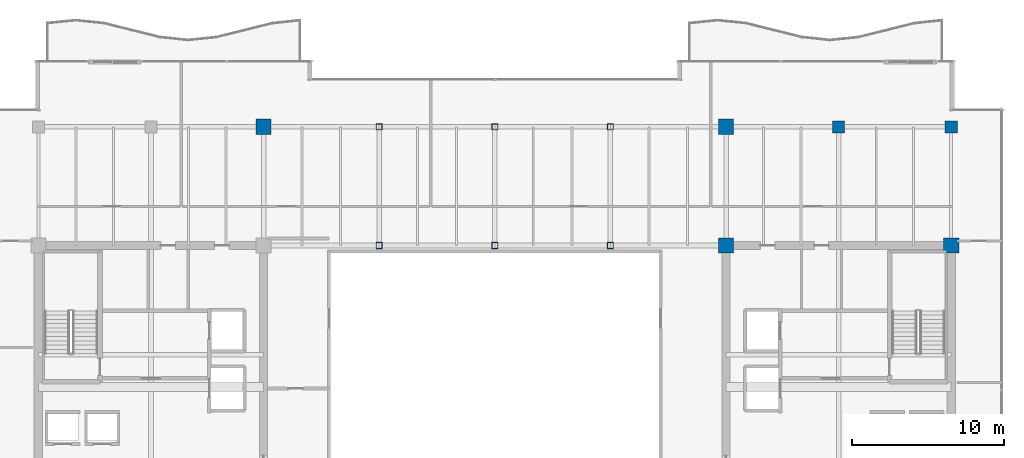
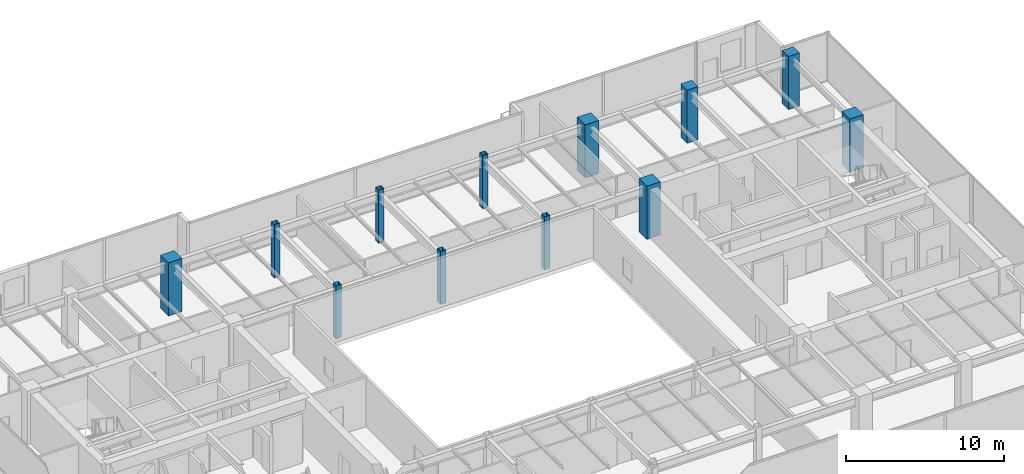
# One storey, part 3 of 34: 12 columns.
"""IFC4 building model written with IfcOpenShell, lengths in metres."""

import ifcopenshell
import ifcopenshell.guid

model = None  # the IFC model being written
_history = None  # IfcOwnerHistory: only IFC2X3 demands one
_inside = {}  # id of a spatial element -> (the spatial element, [elements in it])
_under = {}  # id of a project, library or spatial element -> (it, [spatial elements below it])
_declared = {}  # id of a project -> (the project, [libraries it declares])
_typed = {}  # id of a type object -> (the type object, [elements of that type])
_made_of = {}  # id of a material, layer set ... -> (it, [elements and type objects made of it])


def new_model(schema):
    """Start an empty IFC model of exactly this schema.

    Asked for "IFC4X3", IfcOpenShell would pick the latest addendum, in which some entities
    have other attributes; the version numbers below select the first issue.
    IFC2X3 requires an IfcOwnerHistory on every rooted entity: one is made here for all.
    """
    global model, _history
    if schema == "IFC4X3":
        model = ifcopenshell.file(schema_version=(4, 3, 0, 0))
    else:
        model = ifcopenshell.file(schema=schema)
    _inside.clear()
    _under.clear()
    _declared.clear()
    _typed.clear()
    _made_of.clear()
    _history = None
    if model.schema == "IFC2X3":
        org = make("IfcOrganization", Name="unknown")
        user = make(
            "IfcPersonAndOrganization",
            ThePerson=make("IfcPerson", FamilyName="unknown"),
            TheOrganization=org,
        )
        app = make(
            "IfcApplication",
            ApplicationDeveloper=org,
            Version="unknown",
            ApplicationFullName="unknown",
            ApplicationIdentifier="unknown",
        )
        _history = make(
            "IfcOwnerHistory",
            OwningUser=user,
            OwningApplication=app,
            ChangeAction="ADDED",
            CreationDate=0,
        )
    return model


def make(cls, **values):
    """One entity of the class cls with the attributes given. An attribute that is None is left unset."""
    return model.create_entity(
        cls, **{name: value for name, value in values.items() if value is not None}
    )


def rooted(cls, **values):
    """An entity with a GlobalId (a new one), such as an element, a storey or a relation."""
    return make(cls, GlobalId=ifcopenshell.guid.new(), OwnerHistory=_history, **values)


def si_unit(unit_type, name, prefix=None):
    """IfcSIUnit, for example si_unit("LENGTHUNIT", "METRE", prefix="MILLI")."""
    return make("IfcSIUnit", UnitType=unit_type, Prefix=prefix, Name=name)


def assignment(units):
    """IfcUnitAssignment: the units of a project."""
    return None if units is None else make("IfcUnitAssignment", Units=units)


def point(xyz):
    """IfcCartesianPoint."""
    return None if xyz is None else make("IfcCartesianPoint", Coordinates=xyz)


def direction(xyz):
    """IfcDirection."""
    return None if xyz is None else make("IfcDirection", DirectionRatios=xyz)


def frame(location, z_axis=None, x_axis=None):
    """IfcAxis2Placement3D, a coordinate frame: its origin and axes. An axis left out is left unset."""
    return make(
        "IfcAxis2Placement3D",
        Location=point(location),
        Axis=direction(z_axis),
        RefDirection=direction(x_axis),
    )


def frame_2d(location, x_axis=None):
    """IfcAxis2Placement2D, a coordinate frame in the plane: its origin and x axis."""
    return make(
        "IfcAxis2Placement2D", Location=point(location), RefDirection=direction(x_axis)
    )


def origin():
    """The frame at (0, 0, 0) with its axes left unset."""
    return frame((0.0, 0.0, 0.0))


def origin_2d():
    """The frame at (0, 0) in the plane with its x axis left unset."""
    return frame_2d((0.0, 0.0))


def place(relative_to, where):
    """IfcLocalPlacement: puts the frame where relative to a parent placement (None: the world)."""
    return make(
        "IfcLocalPlacement", PlacementRelTo=relative_to, RelativePlacement=where
    )


def context(
    kind, dimensions, precision=None, world=None, true_north=None, identifier=None
):
    """IfcGeometricRepresentationContext, for example the 3D "Model" context."""
    return make(
        "IfcGeometricRepresentationContext",
        ContextIdentifier=identifier,
        ContextType=kind,
        CoordinateSpaceDimension=dimensions,
        Precision=precision,
        WorldCoordinateSystem=world,
        TrueNorth=true_north,
    )


def subcontext(parent, identifier, kind, view, scale=None):
    """IfcGeometricRepresentationSubContext, for example "Body" below "Model"."""
    return make(
        "IfcGeometricRepresentationSubContext",
        ContextIdentifier=identifier,
        ContextType=kind,
        ParentContext=parent,
        TargetScale=scale,
        TargetView=view,
    )


def project(units=None, contexts=None):
    """IfcProject with its units and contexts."""
    return rooted(
        "IfcProject",
        Name="project",
        RepresentationContexts=contexts,
        UnitsInContext=assignment(units),
    )


def spatial(cls, under=None, at=None, **own):
    """A site, building, storey or space (cls), placed at a placement, below another one or the project."""
    s = rooted(cls, ObjectPlacement=at, **own)
    if under is not None:
        _under.setdefault(under.id(), (under, []))[1].append(s)
    return s


def profile(cls, at=None, kind="AREA", **sizes):
    """A parametric profile (cls). Its sizes go by their IFC names, for example OverallWidth=200.0."""
    return make(cls, ProfileType=kind, Position=at, **sizes)


def rectangle(**sizes):
    """IfcRectangleProfileDef."""
    return profile("IfcRectangleProfileDef", **sizes)


def hollow_rectangle(**sizes):
    """IfcRectangleHollowProfileDef."""
    return profile("IfcRectangleHollowProfileDef", **sizes)


def extrude(swept, where, along, depth):
    """IfcExtrudedAreaSolid: the profile swept, set in the frame where, extruded along a direction by depth."""
    return make(
        "IfcExtrudedAreaSolid",
        SweptArea=swept,
        Position=where,
        ExtrudedDirection=direction(along),
        Depth=depth,
    )


def shape(context_of_items, identifier, shape_type, items):
    """IfcShapeRepresentation: the items that make up one representation, for example the "Body"."""
    return make(
        "IfcShapeRepresentation",
        ContextOfItems=context_of_items,
        RepresentationIdentifier=identifier,
        RepresentationType=shape_type,
        Items=items,
    )


def source(mapping_origin, context_of_items, identifier, shape_type, items):
    """IfcRepresentationMap: a shape defined once, which mapped items show again and again."""
    return make(
        "IfcRepresentationMap",
        MappingOrigin=mapping_origin,
        MappedRepresentation=shape(context_of_items, identifier, shape_type, items),
    )


def transform(
    local_origin,
    x_axis=None,
    y_axis=None,
    z_axis=None,
    scale=None,
    scale2=None,
    scale3=None,
    uniform=True,
):
    """IfcCartesianTransformationOperator3D, or its non-uniform kind. x_axis, y_axis, z_axis: its Axis1, 2, 3."""
    if uniform:
        return make(
            "IfcCartesianTransformationOperator3D",
            Axis1=direction(x_axis),
            Axis2=direction(y_axis),
            LocalOrigin=point(local_origin),
            Scale=scale,
            Axis3=direction(z_axis),
        )
    return make(
        "IfcCartesianTransformationOperator3DnonUniform",
        Axis1=direction(x_axis),
        Axis2=direction(y_axis),
        LocalOrigin=point(local_origin),
        Scale=scale,
        Axis3=direction(z_axis),
        Scale2=scale2,
        Scale3=scale3,
    )


def mapped(mapping_source, mapping_target):
    """IfcMappedItem: shows the shape of a source again, moved by a transform."""
    return make(
        "IfcMappedItem", MappingSource=mapping_source, MappingTarget=mapping_target
    )


def material(Name=None, Category=None):
    """IfcMaterial."""
    return make("IfcMaterial", Name=Name, Category=Category)


def material_profile(
    of_material, cross_section, Name=None, Category=None, Priority=None
):
    """IfcMaterialProfile: a cross section and its material."""
    return make(
        "IfcMaterialProfile",
        Name=Name,
        Material=of_material,
        Profile=cross_section,
        Priority=Priority,
        Category=Category,
    )


def profile_set(profiles, Name=None, composite=None):
    """IfcMaterialProfileSet."""
    return make(
        "IfcMaterialProfileSet",
        Name=Name,
        MaterialProfiles=profiles,
        CompositeProfile=composite,
    )


def made_of(thing, what):
    """Note that an element or type object is made of a material, layer set ...; save() writes the relation."""
    if what is not None:
        _made_of.setdefault(what.id(), (what, []))[1].append(thing)
    return thing


def type_object(cls, material=None, **own):
    """A type object (cls), such as IfcWallType, which elements share."""
    return made_of(rooted(cls, **own), material)


def type_shapes(of_type, sources):
    """Give a type object the sources (RepresentationMaps) that its elements show as mapped items."""
    of_type.RepresentationMaps = sources


def element(
    cls,
    number,
    at=None,
    inside=None,
    cuts=None,
    type_object=None,
    material=None,
    context=None,
    identifier="Body",
    shape_type=None,
    held_by="IfcProductDefinitionShape",
    body=None,
    shapes=None,
    **own,
):
    """One element of the class cls, such as IfcWall. Its Tag is "e" and its number.

    at: its placement. inside: the storey or other place that contains it. cuts: it is an
    opening in that element (IfcRelVoidsElement). A single representation is given by context,
    identifier, shape_type and body (its items); several are given by shapes. held_by: the class
    of the entity that holds the representations. save() writes the other relations.
    """
    e = rooted(cls, Tag="e%d" % number, ObjectPlacement=at, **own)
    if body is not None:
        shapes = [shape(context, identifier, shape_type, body)]
    if shapes is not None:
        e.Representation = make(held_by, Representations=shapes)
    if inside is not None:
        _inside.setdefault(inside.id(), (inside, []))[1].append(e)
    if cuts is not None:
        rooted(
            "IfcRelVoidsElement", RelatingBuildingElement=cuts, RelatedOpeningElement=e
        )
    if type_object is not None:
        _typed.setdefault(type_object.id(), (type_object, []))[1].append(e)
    return made_of(e, material)


def aggregate(whole, parts):
    """IfcRelAggregates: a whole, such as a stair, and the parts it consists of."""
    return rooted("IfcRelAggregates", RelatingObject=whole, RelatedObjects=parts)


def save(model, path):
    """Write the relations noted so far, then the file.

    IfcRelAggregates (storeys below a building ...), IfcRelContainedInSpatialStructure (elements
    in a storey), IfcRelDefinesByType, IfcRelAssociatesMaterial and IfcRelDeclares: one each for
    every whole, place, type object, material and project.
    """
    for whole, parts in _under.values():
        aggregate(whole, parts)
    for where, things in _inside.values():
        rooted(
            "IfcRelContainedInSpatialStructure",
            RelatedElements=things,
            RelatingStructure=where,
        )
    for kind, things in _typed.values():
        rooted("IfcRelDefinesByType", RelatedObjects=things, RelatingType=kind)
    for what, things in _made_of.values():
        rooted("IfcRelAssociatesMaterial", RelatedObjects=things, RelatingMaterial=what)
    for by, libraries in _declared.values():
        rooted("IfcRelDeclares", RelatingContext=by, RelatedDefinitions=libraries)
    model.write(path)


model = new_model("IFC4")

# Units and contexts
model_context = context("Model", 3, precision=1e-05, world=origin(), true_north=direction((0.0, 1.0)))
body_context = subcontext(model_context, "Body", "Model", "MODEL_VIEW")
ifc_project = project(units=[si_unit("LENGTHUNIT", "METRE"), si_unit("AREAUNIT", "SQUARE_METRE"), si_unit("VOLUMEUNIT", "CUBIC_METRE"), si_unit("PLANEANGLEUNIT", "RADIAN"), si_unit("MASSUNIT", "GRAM", prefix="KILO")], contexts=[model_context])

# Site, building, storey
site_placement = place(None, origin())
site = spatial("IfcSite", under=ifc_project, at=site_placement, CompositionType="ELEMENT")
building_placement = place(site_placement, origin())
building = spatial("IfcBuilding", under=site, at=building_placement, Name="Haelvirn Gate Laboratories", CompositionType="ELEMENT")
storey_placement = place(building_placement, frame((0.0, 0.0, 246.5)))
storey = spatial("IfcBuildingStorey", under=building, at=storey_placement, Name="L59", CompositionType="ELEMENT", Elevation=246.5)

# Columns
ifc_material_1 = material(Name="Concrete C60/75", Category="concrete")
ifc_material_profile_1 = material_profile(ifc_material_1, rectangle(XDim=1.0, YDim=1.0, at=origin_2d()), Name="RC-1000x1000")
ifc_profile_set_1 = profile_set([ifc_material_profile_1], Name="Concrete C60/75")
column_type_1 = type_object("IfcColumnType", Name="COL-RC-1000", PredefinedType="COLUMN", material=ifc_profile_set_1)
shared_shape_1 = source(origin(), body_context, "Body", "SweptSolid", [
    extrude(rectangle(XDim=1.0, YDim=1.0, at=origin_2d()), origin(), (0.0, 0.0, 1.0), 4.10009765625),
])
type_shapes(column_type_1, [shared_shape_1])
for number, where, z_axis, x_axis, name in (
    (1, (22.199951171875, 41.60009765625, 0.0), (0.0, 0.0, 1.0), (1.0, 0.0, 0.0), "L59 Column 4G"),
    (2, (52.60009765625, 33.800048828125, 0.0), (0.0, 0.0, 1.0), (1.0, 0.0, 0.0), "L59 Column 8F"),
    (3, (67.39990234375, 33.800048828125, 0.0), (0.0, 0.0, 1.0), (1.0, 0.0, 0.0), "L59 Column 10F"),
    (4, (52.60009765625, 41.60009765625, 0.0), (0.0, 0.0, 1.0), (1.0, 0.0, 0.0), "L59 Column 8G"),
):
    element("IfcColumn", number, at=place(storey_placement, frame(where, z_axis=z_axis, x_axis=x_axis)), inside=storey, type_object=column_type_1, Name=name, PredefinedType="COLUMN", context=body_context, shape_type="MappedRepresentation", body=[
        mapped(shared_shape_1, transform((0.0, 0.0, 0.0), scale=1.0)),
    ])
ifc_material_2 = material(Name="Concrete C50/60", Category="concrete")
ifc_material_profile_2 = material_profile(ifc_material_2, rectangle(XDim=0.800048828125, YDim=0.800048828125, at=origin_2d()), Name="RC-800x800")
ifc_profile_set_2 = profile_set([ifc_material_profile_2], Name="Concrete C50/60")
column_type_2 = type_object("IfcColumnType", Name="COL-RC-800", PredefinedType="COLUMN", material=ifc_profile_set_2)
shared_shape_2 = source(origin(), body_context, "Body", "SweptSolid", [
    extrude(rectangle(XDim=0.800048828125, YDim=0.800048828125, at=origin_2d()), origin(), (0.0, 0.0, 1.0), 4.10009765625),
])
type_shapes(column_type_2, [shared_shape_2])
for number, where, z_axis, x_axis, name in (
    (5, (60.0, 41.60009765625, 0.0), (0.0, 0.0, 1.0), (1.0, 0.0, 0.0), "L59 Column 9G"),
    (6, (67.39990234375, 41.60009765625, 0.0), (0.0, 0.0, 1.0), (1.0, 0.0, 0.0), "L59 Column 10G"),
):
    element("IfcColumn", number, at=place(storey_placement, frame(where, z_axis=z_axis, x_axis=x_axis)), inside=storey, type_object=column_type_2, Name=name, PredefinedType="COLUMN", context=body_context, shape_type="MappedRepresentation", body=[
        mapped(shared_shape_2, transform((0.0, 0.0, 0.0), scale=1.0)),
    ])
ifc_material_3 = material(Name="Steel SM355", Category="steel")
ifc_material_profile_3 = material_profile(ifc_material_3, hollow_rectangle(XDim=0.39990234375, YDim=0.39990234375, WallThickness=0.01904296875, at=origin_2d()), Name="BOX-400x400x19")
ifc_profile_set_3 = profile_set([ifc_material_profile_3], Name="Steel SM355")
column_type_3 = type_object("IfcColumnType", Name="COL-BOX-400", PredefinedType="COLUMN", material=ifc_profile_set_3)
shared_shape_3 = source(origin(), body_context, "Body", "SweptSolid", [
    extrude(hollow_rectangle(XDim=0.39990234375, YDim=0.39990234375, WallThickness=0.01904296875, at=origin_2d()), origin(), (0.0, 0.0, 1.0), 4.10009765625),
])
type_shapes(column_type_3, [shared_shape_3])
for number, where, z_axis, x_axis, name in (
    (7, (29.800048828125, 33.800048828125, 0.0), (0.0, 0.0, 1.0), (1.0, 0.0, 0.0), "L59 Column 5F"),
    (8, (29.800048828125, 41.60009765625, 0.0), (0.0, 0.0, 1.0), (1.0, 0.0, 0.0), "L59 Column 5G"),
    (9, (37.39990234375, 33.800048828125, 0.0), (0.0, 0.0, 1.0), (1.0, 0.0, 0.0), "L59 Column 6F"),
    (10, (37.39990234375, 41.60009765625, 0.0), (0.0, 0.0, 1.0), (1.0, 0.0, 0.0), "L59 Column 6G"),
    (11, (45.0, 33.800048828125, 0.0), (0.0, 0.0, 1.0), (1.0, 0.0, 0.0), "L59 Column 7F"),
    (12, (45.0, 41.60009765625, 0.0), (0.0, 0.0, 1.0), (1.0, 0.0, 0.0), "L59 Column 7G"),
):
    element("IfcColumn", number, at=place(storey_placement, frame(where, z_axis=z_axis, x_axis=x_axis)), inside=storey, type_object=column_type_3, Name=name, PredefinedType="COLUMN", context=body_context, shape_type="MappedRepresentation", body=[
        mapped(shared_shape_3, transform((0.0, 0.0, 0.0), scale=1.0)),
    ])

save(model, "model.ifc")
